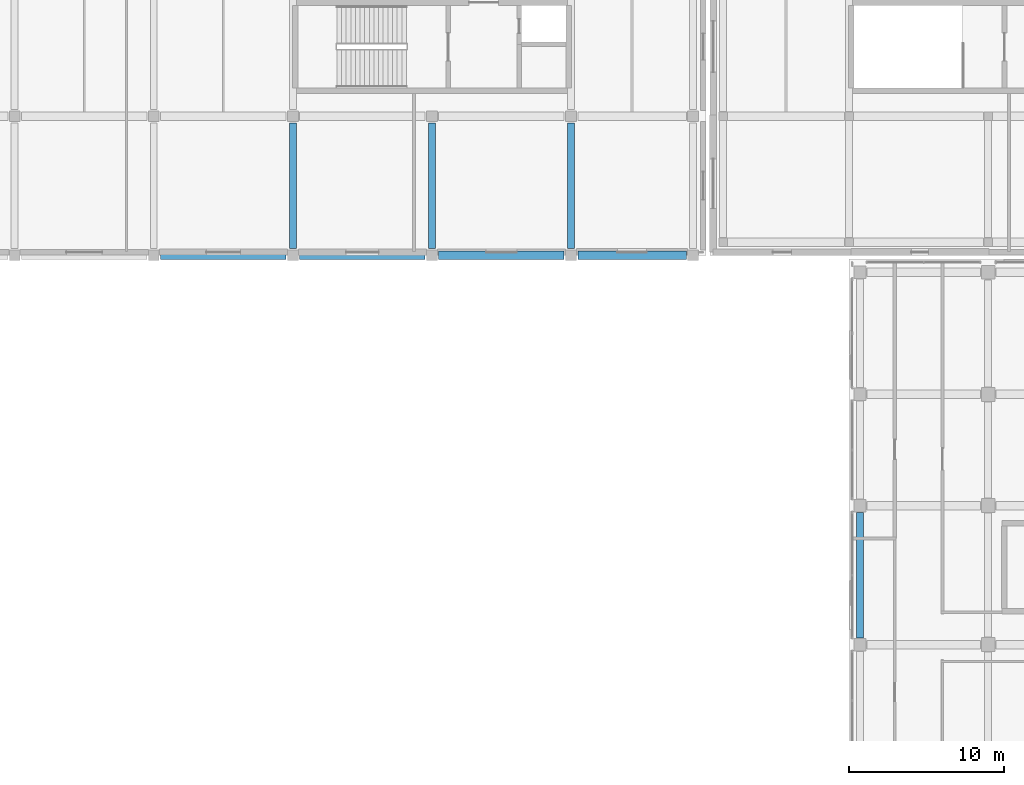
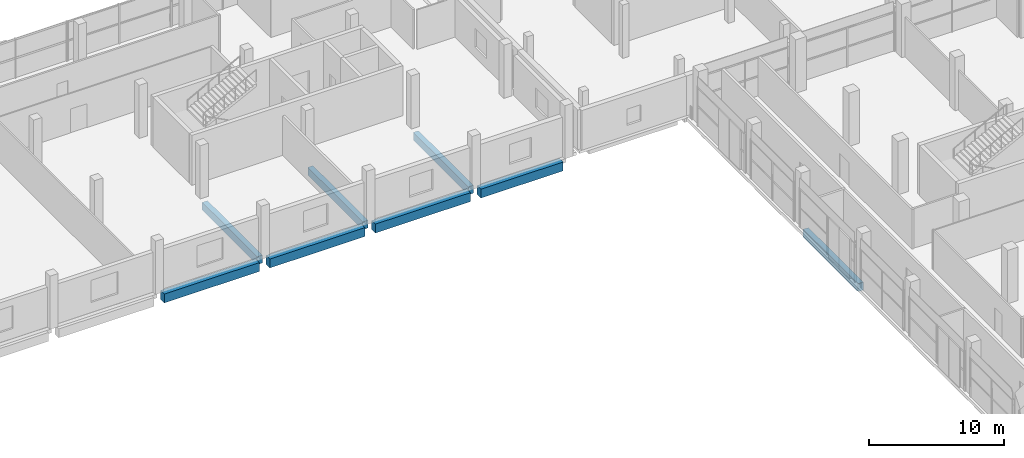
# One storey, part 35 of 111: 8 beams.
"""IFC4 building model written with IfcOpenShell, lengths in metres."""

from ifc_helpers import new_model, si_unit, direction, frame, origin, origin_2d, place, context, subcontext, project, spatial, rectangle, extrude, material, material_profile, profile_set, type_object, element, save


model = new_model("IFC4")

# Units and contexts
model_context = context("Model", 3, precision=1e-05, world=origin(), true_north=direction((0.0, 1.0)))
body_context = subcontext(model_context, "Body", "Model", "MODEL_VIEW")
ifc_project = project(units=[si_unit("LENGTHUNIT", "METRE"), si_unit("AREAUNIT", "SQUARE_METRE"), si_unit("VOLUMEUNIT", "CUBIC_METRE"), si_unit("PLANEANGLEUNIT", "RADIAN"), si_unit("MASSUNIT", "GRAM", prefix="KILO"), si_unit("THERMODYNAMICTEMPERATUREUNIT", "KELVIN"), si_unit("POWERUNIT", "WATT")], contexts=[model_context])

# Site, building, storey
site_placement = place(None, origin())
site = spatial("IfcSite", under=ifc_project, at=site_placement, CompositionType="ELEMENT")
building_placement = place(site_placement, origin())
building = spatial("IfcBuilding", under=site, at=building_placement, Name="Sindhuravela Promenade Stadium", CompositionType="ELEMENT")
storey_placement = place(building_placement, frame((0.0, 0.0, 9.60009765625)))
storey = spatial("IfcBuildingStorey", under=building, at=storey_placement, Name="L02", CompositionType="ELEMENT", Elevation=9.60009765625)

# Beams
ifc_material = material(Name="Concrete M40", Category="concrete")
ifc_material_profile_1 = material_profile(ifc_material, rectangle(XDim=0.449951171875, YDim=0.699951171875, at=origin_2d()), Name="RC 450x700")
ifc_profile_set_1 = profile_set([ifc_material_profile_1], Name="Concrete M40")
beam_type_1 = type_object("IfcBeamType", Name="RC-BM-450x700", PredefinedType="BEAM", material=ifc_profile_set_1)
for number, where, z_axis, x_axis, name in (
    (1, (171.699951171875, 101.239990234375, -0.630126953125), (0.0, 1.0, 0.0), (-1.0, 0.0, 0.0), "Primary beam GB07 EAST L02"),
    (2, (135.0, 126.43994140625, -0.630126953125), (0.0, 1.0, 0.0), (-1.0, 0.0, 0.0), "Primary beam GB07 NORTH L02"),
    (3, (144.0, 126.43994140625, -0.630126953125), (0.0, 1.0, 0.0), (-1.0, 0.0, 0.0), "Primary beam GB07 NORTH L02"),
    (4, (153.0, 126.43994140625, -0.630126953125), (0.0, 1.0, 0.0), (-1.0, 0.0, 0.0), "Primary beam GB07 NORTH L02"),
):
    element("IfcBeam", number, at=place(storey_placement, frame(where, z_axis=z_axis, x_axis=x_axis)), inside=storey, type_object=beam_type_1, Name=name, PredefinedType="BEAM", context=body_context, shape_type="SweptSolid", body=[
        extrude(rectangle(XDim=0.449951171875, YDim=0.699951171875, at=origin_2d()), origin(), (0.0, 0.0, 1.0), 8.1201171875),
    ])
ifc_material_profile_2 = material_profile(ifc_material, rectangle(XDim=0.550048828125, YDim=0.800048828125, at=origin_2d()), Name="RC 550x800")
ifc_profile_set_2 = profile_set([ifc_material_profile_2], Name="Concrete M40")
beam_type_2 = type_object("IfcBeamType", Name="RC-BM-550x800", PredefinedType="BEAM", material=ifc_profile_set_2)
for number, where, z_axis, x_axis, name in (
    (5, (126.43994140625, 126.0, -0.68017578125), (1.0, 0.0, 0.0), (0.0, 1.0, 0.0), "Primary girder GB05 NORTH L02"),
    (6, (135.43994140625, 126.0, -0.68017578125), (1.0, 0.0, 0.0), (0.0, 1.0, 0.0), "Primary girder GB05 NORTH L02"),
    (7, (144.43994140625, 126.0, -0.68017578125), (1.0, 0.0, 0.0), (0.0, 1.0, 0.0), "Primary girder GB05 NORTH L02"),
):
    element("IfcBeam", number, at=place(storey_placement, frame(where, z_axis=z_axis, x_axis=x_axis)), inside=storey, type_object=beam_type_2, Name=name, PredefinedType="BEAM", context=body_context, shape_type="SweptSolid", body=[
        extrude(rectangle(XDim=0.550048828125, YDim=0.800048828125, at=origin_2d()), origin(), (0.0, 0.0, 1.0), 8.1201171875),
    ])
beam_placement = place(storey_placement, frame((153.43994140625, 126.0, -0.68017578125), z_axis=(1.0, 0.0, 0.0), x_axis=(0.0, 1.0, 0.0)))
element("IfcBeam", 8, at=beam_placement, inside=storey, type_object=beam_type_2, Name="Primary girder GB05 NORTH L02", PredefinedType="BEAM", context=body_context, shape_type="SweptSolid", body=[
    extrude(rectangle(XDim=0.550048828125, YDim=0.800048828125, at=origin_2d()), origin(), (0.0, 0.0, 1.0), 7.02001953125),
])

save(model, "model.ifc")
